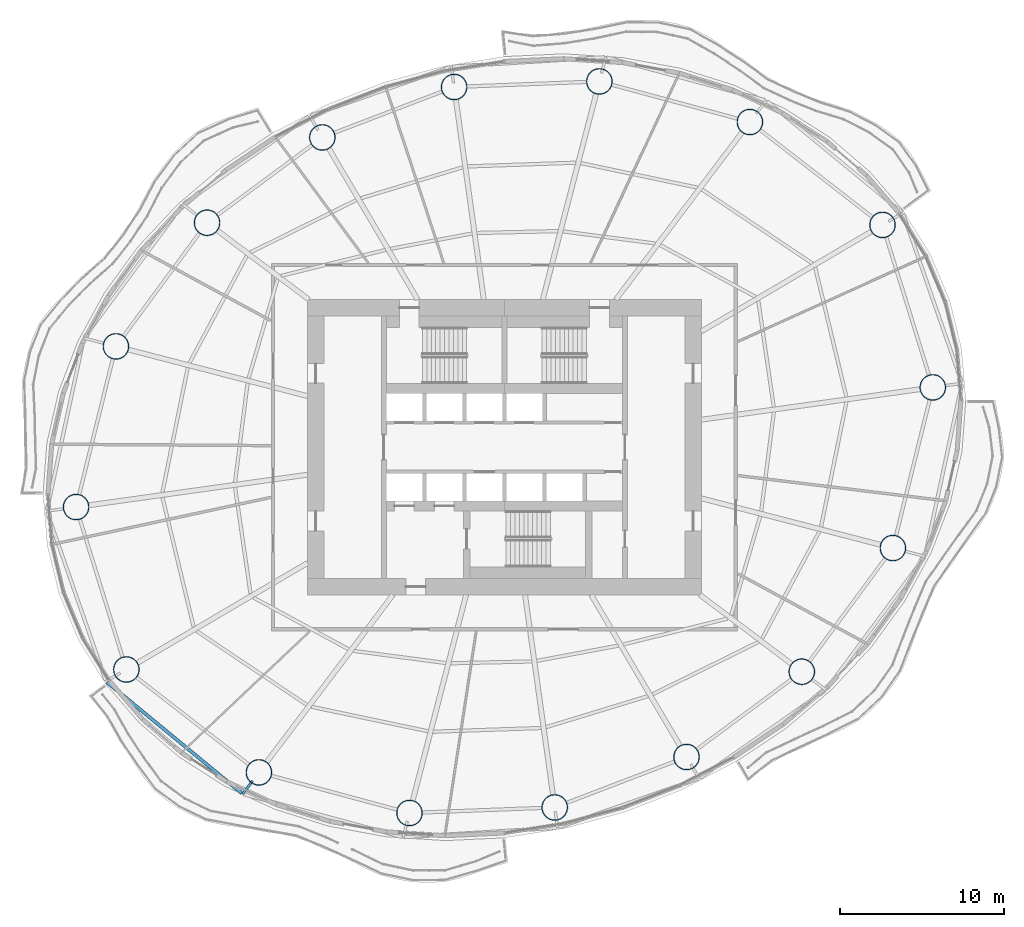
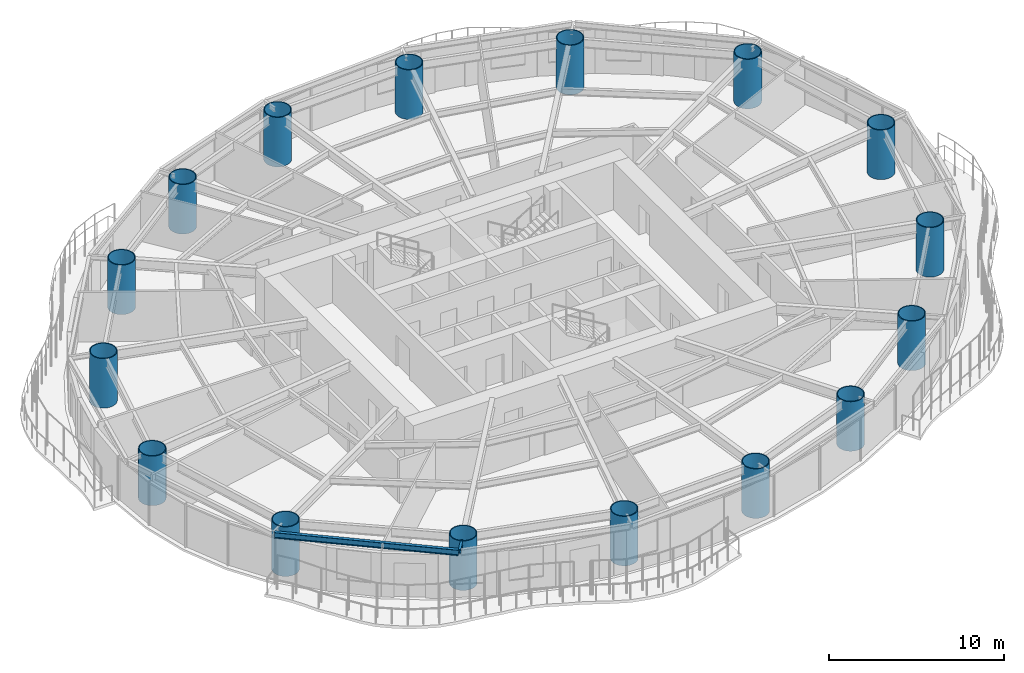
# One storey, part 1 of 14: 16 columns, 2 beams.
"""IFC4 building model written with IfcOpenShell, lengths in metres."""

from ifc_helpers import new_model, si_unit, direction, frame, origin, origin_2d, place, context, subcontext, project, spatial, hollow_circle, i_section, extrude, material, material_profile, profile_set, type_object, element, save


model = new_model("IFC4")

# Units and contexts
model_context = context("Model", 3, precision=1e-05, world=origin(), true_north=direction((0.0, 1.0)))
body_context = subcontext(model_context, "Body", "Model", "MODEL_VIEW")
ifc_project = project(units=[si_unit("LENGTHUNIT", "METRE"), si_unit("AREAUNIT", "SQUARE_METRE"), si_unit("VOLUMEUNIT", "CUBIC_METRE"), si_unit("PLANEANGLEUNIT", "RADIAN"), si_unit("MASSUNIT", "GRAM", prefix="KILO")], contexts=[model_context])

# Site, building, storey
site_placement = place(None, origin())
site = spatial("IfcSite", under=ifc_project, at=site_placement, CompositionType="ELEMENT")
building_placement = place(site_placement, origin())
building = spatial("IfcBuilding", under=site, at=building_placement, Name="Vermilion Reach Broadcast Tower", CompositionType="ELEMENT")
storey_placement = place(building_placement, frame((0.0, 0.0, 106.60009765625)))
storey = spatial("IfcBuildingStorey", under=building, at=storey_placement, Name="L24", CompositionType="ELEMENT", Elevation=106.60009765625)

# Columns
ifc_material_1 = material(Name="Concrete C80 infill in steel S460NL tube", Category="concrete")
ifc_material_profile_1 = material_profile(ifc_material_1, hollow_circle(Radius=0.800048828125, WallThickness=0.054931640625, at=origin_2d()), Name="Concrete C80 infill in steel S460NL tube CFT 1600x55")
ifc_profile_set_1 = profile_set([ifc_material_profile_1], Name="Concrete C80 infill in steel S460NL tube")
column_type = type_object("IfcColumnType", Name="MC2 CFT 1600x55", PredefinedType="COLUMN", material=ifc_profile_set_1)
for number, where, z_axis, x_axis, name in (
    (1, (17.04345703125, 13.546630859375, 0.0), (0.0, 0.0, 1.0), (1.0, 0.0, 0.0), "Mega-column MC2-01"),
    (2, (8.96337890625, 19.821044921875, 0.0), (0.0, 0.0, 1.0), (1.0, 0.0, 0.0), "Mega-column MC2-02"),
    (3, (-0.21337890625, 22.29443359375, 0.0), (0.0, 0.0, 1.0), (1.0, 0.0, 0.0), "Mega-column MC2-03"),
    (4, (-9.066162109375, 21.955810546875, 0.0), (0.0, 0.0, 1.0), (1.0, 0.0, 0.0), "Mega-column MC2-04"),
    (5, (-17.099609375, 18.881103515625, 0.0), (0.0, 0.0, 1.0), (1.0, 0.0, 0.0), "Mega-column MC2-05"),
    (6, (-24.12451171875, 13.6826171875, 0.0), (0.0, 0.0, 1.0), (1.0, 0.0, 0.0), "Mega-column MC2-06"),
    (7, (-29.6787109375, 6.145751953125, 0.0), (0.0, 0.0, 1.0), (1.0, 0.0, 0.0), "Mega-column MC2-07"),
    (8, (-32.10888671875, -3.646240234375, 0.0), (0.0, 0.0, 1.0), (1.0, 0.0, 0.0), "Mega-column MC2-08"),
    (9, (-29.04345703125, -13.546630859375, 0.0), (0.0, 0.0, 1.0), (1.0, 0.0, 0.0), "Mega-column MC2-09"),
    (10, (-20.96337890625, -19.821044921875, 0.0), (0.0, 0.0, 1.0), (1.0, 0.0, 0.0), "Mega-column MC2-10"),
    (11, (-11.78662109375, -22.29443359375, 0.0), (0.0, 0.0, 1.0), (1.0, 0.0, 0.0), "Mega-column MC2-11"),
    (12, (-2.933837890625, -21.955810546875, 0.0), (0.0, 0.0, 1.0), (1.0, 0.0, 0.0), "Mega-column MC2-12"),
    (13, (5.099609375, -18.881103515625, 0.0), (0.0, 0.0, 1.0), (1.0, 0.0, 0.0), "Mega-column MC2-13"),
    (14, (12.12451171875, -13.6826171875, 0.0), (0.0, 0.0, 1.0), (1.0, 0.0, 0.0), "Mega-column MC2-14"),
    (15, (17.6787109375, -6.145751953125, 0.0), (0.0, 0.0, 1.0), (1.0, 0.0, 0.0), "Mega-column MC2-15"),
    (16, (20.10888671875, 3.646240234375, 0.0), (0.0, 0.0, 1.0), (1.0, 0.0, 0.0), "Mega-column MC2-16"),
):
    element("IfcColumn", number, at=place(storey_placement, frame(where, z_axis=z_axis, x_axis=x_axis)), inside=storey, type_object=column_type, Name=name, PredefinedType="COLUMN", context=body_context, shape_type="SweptSolid", body=[
        extrude(hollow_circle(Radius=0.800048828125, WallThickness=0.054931640625, at=origin_2d()), origin(), (0.0, 0.0, 1.0), 3.449951171875),
    ])

# Beams
ifc_material_2 = material(Name="Steel S355J2", Category="steel")
ifc_material_profile_2 = material_profile(ifc_material_2, i_section(OverallWidth=0.199951171875, OverallDepth=0.39990234375, WebThickness=0.008056640625, FlangeThickness=0.012939453125, at=origin_2d()), Name="S355J2 HN 400x200x8x13")
ifc_profile_set_2 = profile_set([ifc_material_profile_2], Name="Steel S355J2")
beam_type_1 = type_object("IfcBeamType", Name="EB2 HN 400x200x8x13", PredefinedType="BEAM", material=ifc_profile_set_2)
beam_1_placement = place(storey_placement, frame((-30.2197265625, -14.324951171875, 3.25), z_axis=(0.771698890056, -0.635988068352, 0.0), x_axis=(0.635988068352, 0.771698890056, 0.0)))
element("IfcBeam", 17, at=beam_1_placement, inside=storey, type_object=beam_type_1, Name="Edge beam EB2-09", PredefinedType="BEAM", context=body_context, shape_type="SweptSolid", body=[
    extrude(i_section(OverallWidth=0.199951171875, OverallDepth=0.39990234375, WebThickness=0.008056640625, FlangeThickness=0.012939453125, at=origin_2d()), origin(), (0.0, 0.0, 1.0), 10.6337890625),
])
ifc_material_3 = material(Name="Steel S355J2", Category="steel")
ifc_material_profile_3 = material_profile(ifc_material_3, i_section(OverallWidth=0.14990234375, OverallDepth=0.300048828125, WebThickness=0.006591796875, FlangeThickness=0.009033203125, at=origin_2d()), Name="S355J2 HN 300x150x6.5x9")
ifc_profile_set_3 = profile_set([ifc_material_profile_3], Name="Steel S355J2")
beam_type_2 = type_object("IfcBeamType", Name="GS2 HN 300x150x6.5x9", PredefinedType="BEAM", material=ifc_profile_set_3)
beam_2_placement = place(storey_placement, frame((-21.353271484375, -20.337646484375, 3.2998046875), z_axis=(-0.602536027779, -0.798091683473, 0.0), x_axis=(0.798091683473, -0.602536027779, 0.0)))
element("IfcBeam", 18, at=beam_2_placement, inside=storey, type_object=beam_type_2, Name="Cantilever stub GS2-10", PredefinedType="BEAM", context=body_context, shape_type="SweptSolid", body=[
    extrude(i_section(OverallWidth=0.14990234375, OverallDepth=0.300048828125, WebThickness=0.006591796875, FlangeThickness=0.009033203125, at=origin_2d()), origin(), (0.0, 0.0, 1.0), 1.0),
])

save(model, "model.ifc")
